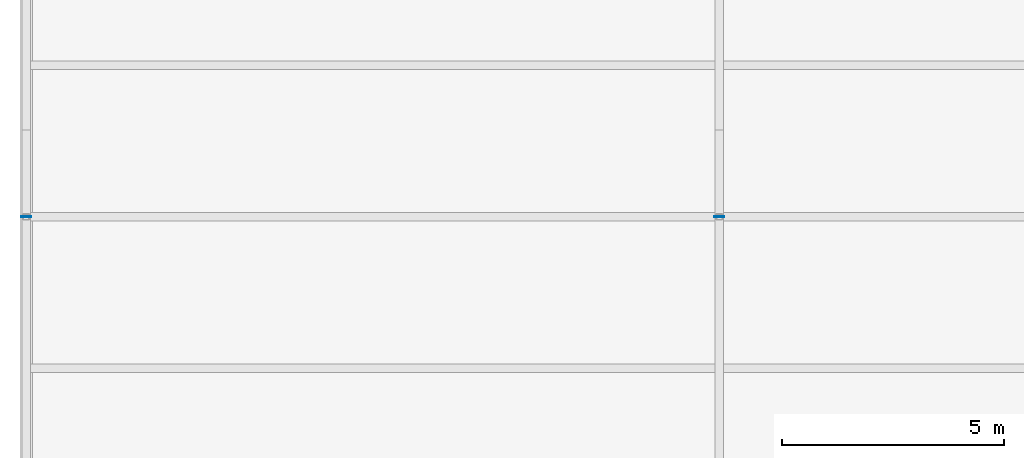
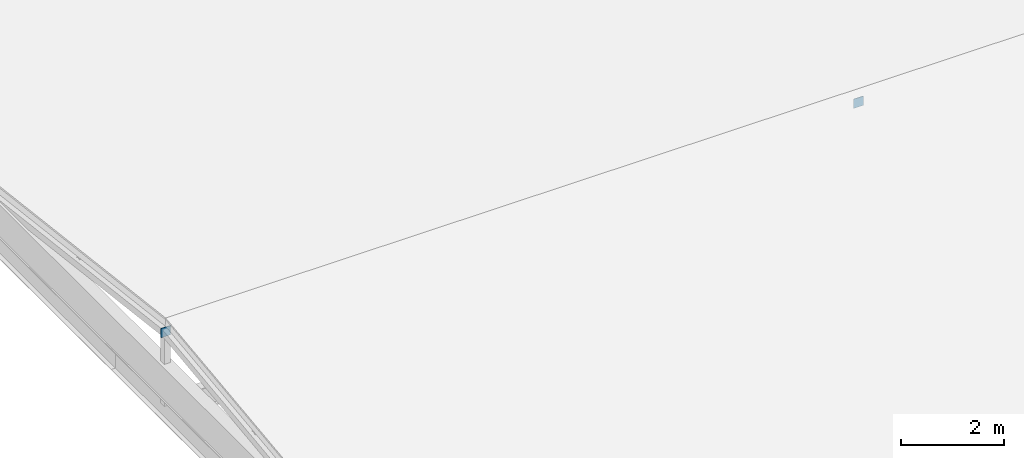
# One storey, part 12 of 21: 2 plates.
"""IFC4 building model written with IfcOpenShell, lengths in metres."""

from ifc_helpers import new_model, si_unit, direction, frame, origin, origin_2d, place, context, subcontext, project, spatial, rectangle, extrude, material, layer, layer_set, type_object, element, save


model = new_model("IFC4")

# Units and contexts
model_context = context("Model", 3, precision=1e-05, world=origin(), true_north=direction((0.0, 1.0)))
body_context = subcontext(model_context, "Body", "Model", "MODEL_VIEW")
ifc_project = project(units=[si_unit("LENGTHUNIT", "METRE"), si_unit("AREAUNIT", "SQUARE_METRE"), si_unit("VOLUMEUNIT", "CUBIC_METRE"), si_unit("PLANEANGLEUNIT", "RADIAN"), si_unit("MASSUNIT", "GRAM", prefix="KILO")], contexts=[model_context])

# Site, building, storey
site_placement = place(None, origin())
site = spatial("IfcSite", under=ifc_project, at=site_placement, CompositionType="ELEMENT")
building_placement = place(site_placement, origin())
building = spatial("IfcBuilding", under=site, at=building_placement, Name="Celorna Specialist Clinic", CompositionType="ELEMENT")
storey_placement = place(building_placement, frame((0.0, 0.0, 23.10009765625)))
storey = spatial("IfcBuildingStorey", under=building, at=storey_placement, Name="L05", CompositionType="ELEMENT", Elevation=23.10009765625)

# Plates
ifc_material = material(Name="Steel S355", Category="steel")
ifc_layer = layer(ifc_material, 0.01611328125, Name="Steel S355")
ifc_layer_set = layer_set([ifc_layer], Name="Steel S355")
plate_type = type_object("IfcPlateType", Name="EP-04", PredefinedType="SHEET", material=ifc_layer_set)
for number, where, z_axis, x_axis, name in (
    (1, (0.0, 13.64990234375, 1.35791015625), (0.0, 0.0, 1.0), (1.0, 0.0, 0.0), "Rafter chord cap plate ROOF-V5-SOUTH"),
    (2, (15.60009765625, 13.64990234375, 1.35791015625), (0.0, 0.0, 1.0), (1.0, 0.0, 0.0), "Rafter chord cap plate ROOF-V5-SOUTH"),
):
    element("IfcPlate", number, at=place(storey_placement, frame(where, z_axis=z_axis, x_axis=x_axis)), inside=storey, type_object=plate_type, Name=name, PredefinedType="SHEET", context=body_context, shape_type="SweptSolid", body=[
        extrude(rectangle(XDim=0.219970703125, YDim=0.013916015625, at=origin_2d()), origin(), (0.0, 0.0, 1.0), 0.219970703125),
    ])

save(model, "model.ifc")
